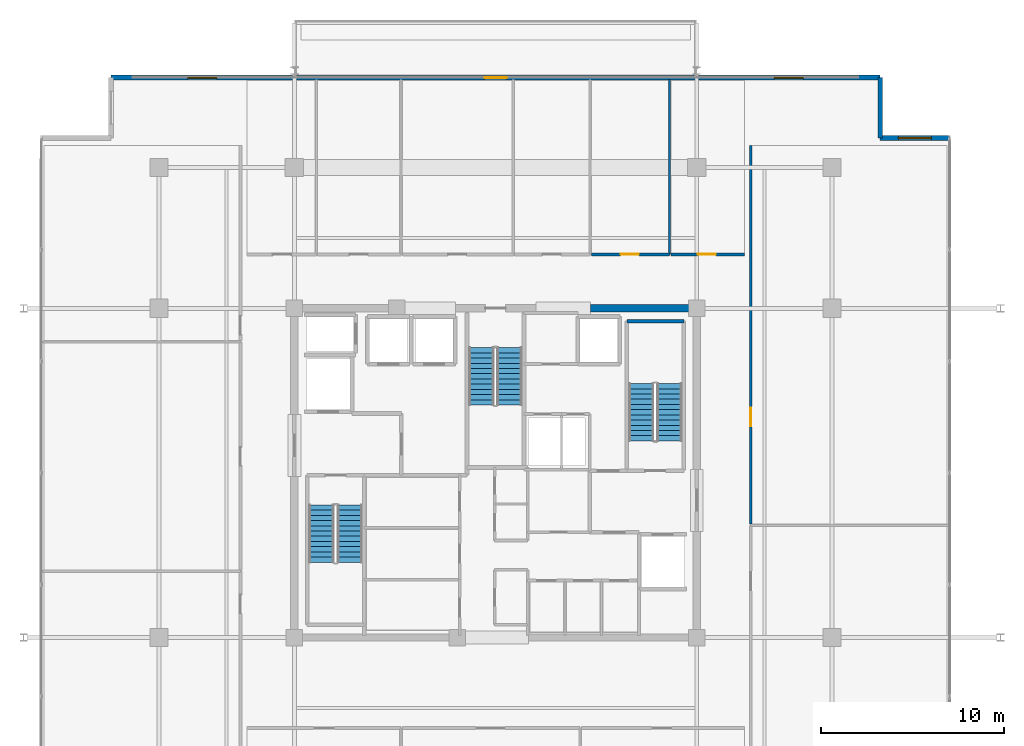
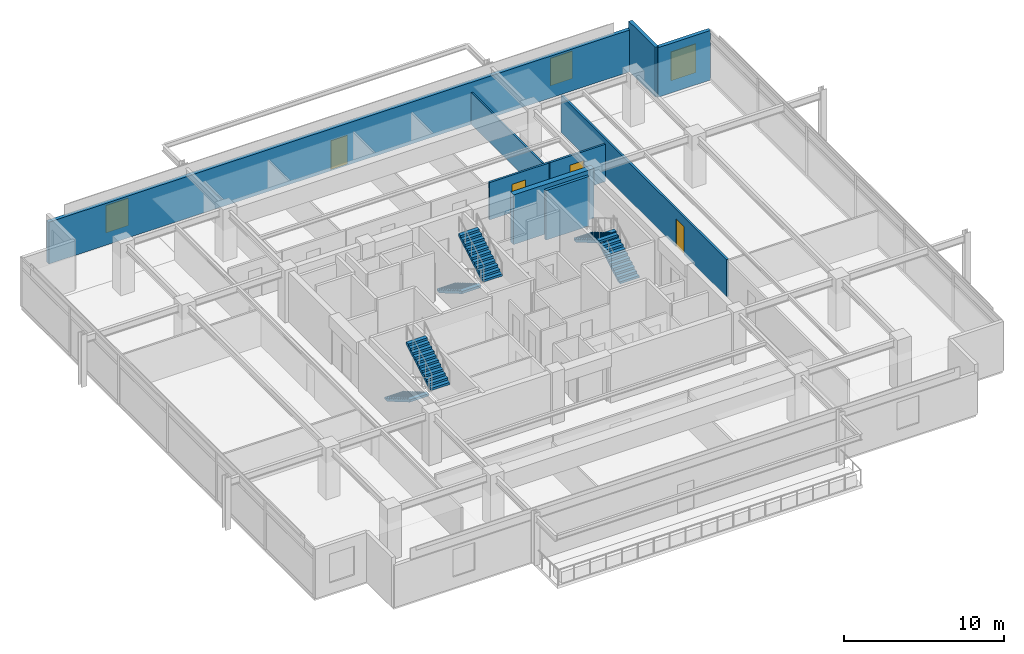
# One storey, part 16 of 20: 9 walls, 6 stair flights, 4 doors, 3 windows, 7 openings, 3 elements without a shape of their own.
"""IFC4 building model written with IfcOpenShell, lengths in metres."""

from ifc_helpers import new_model, si_unit, direction, frame, frame_2d, origin, place, context, subcontext, project, spatial, polyline, rectangle, outline, extrude, material, layer, layer_set, type_object, element, fill, aggregate, save


model = new_model("IFC4")

# Units and contexts
model_context = context("Model", 3, precision=1e-05, world=origin(), true_north=direction((0.0, 1.0)))
body_context = subcontext(model_context, "Body", "Model", "MODEL_VIEW")
ifc_project = project(units=[si_unit("LENGTHUNIT", "METRE"), si_unit("AREAUNIT", "SQUARE_METRE"), si_unit("VOLUMEUNIT", "CUBIC_METRE"), si_unit("PLANEANGLEUNIT", "RADIAN"), si_unit("MASSUNIT", "GRAM", prefix="KILO")], contexts=[model_context])

# Site, building, storey
site_placement = place(None, origin())
site = spatial("IfcSite", under=ifc_project, at=site_placement, CompositionType="ELEMENT")
building_placement = place(site_placement, origin())
building = spatial("IfcBuilding", under=site, at=building_placement, Name="Kovane Verandah Tower", CompositionType="ELEMENT")
storey_placement = place(building_placement, frame((0.0, 0.0, 318.800048828125)))
storey = spatial("IfcBuildingStorey", under=building, at=storey_placement, Name="L74", CompositionType="ELEMENT", Elevation=318.800048828125)

# Wall, opening, door
ifc_material_1 = material(Name="Fire-Rated Gypsum Stud Partition", Category="gypsum")
ifc_layer_1 = layer(ifc_material_1, 0.14990234375)
ifc_layer_set_1 = layer_set([ifc_layer_1], Name="Fire-Rated Gypsum Stud Partition")
wall_type_1 = type_object("IfcWallType", Name="WL-COR-150", PredefinedType="PARTITIONING", material=ifc_layer_set_1)
wall_1_placement = place(storey_placement, frame((45.238037109375, 39.449951171875, 0.0), z_axis=(0.0, 0.0, 1.0), x_axis=(1.0, 0.0, 0.0)))
wall_1 = element("IfcWall", 1, at=wall_1_placement, inside=storey, type_object=wall_type_1, Name="L74 Document and Print Room N5 Corridor Partition", PredefinedType="PARTITIONING", context=body_context, shape_type="SweptSolid", body=[
    extrude(rectangle(XDim=4.281982421875, YDim=0.14990234375, at=frame_2d((2.14111328125, 0.0))), origin(), (0.0, 0.0, 1.0), 2.849853515625),
])
opening_1_placement = place(wall_1_placement, frame((1.60595703125, 0.0, 0.0)))
opening_1 = element("IfcOpeningElement", 2, at=opening_1_placement, cuts=wall_1, Name="Opening DR-L74-027", PredefinedType="OPENING", context=body_context, shape_type="SweptSolid", body=[
    extrude(rectangle(XDim=1.0, YDim=2.14990234375, at=frame_2d((0.5, 1.074951171875))), frame((0.0, 0.074951171875, 0.0), z_axis=(0.0, -1.0, 0.0), x_axis=(1.0, 0.0, 0.0)), (0.0, 0.0, 1.0), 0.14990234375),
])
ifc_material_2 = material(Name="FSC Spotted-Gum Timber Fire-Rated Office Door", Category="wood")
door_type_1 = type_object("IfcDoorType", Name="DR-OFF-1000", OperationType="SINGLE_SWING_LEFT", PredefinedType="DOOR", material=ifc_material_2)
door_1_placement = place(opening_1_placement, origin())
door_1 = element("IfcDoor", 3, at=door_1_placement, inside=storey, type_object=door_type_1, Name="L74 Document and Print Room N5 Entrance Door", OperationType="SINGLE_SWING_RIGHT", OverallHeight=2.14990234375, OverallWidth=1.0, PredefinedType="DOOR", context=body_context, shape_type="SweptSolid", body=[
    extrude(rectangle(XDim=1.0, YDim=2.14990234375, at=frame_2d((0.5, 1.074951171875))), frame((0.0, 0.02490234375, 0.0), z_axis=(0.0, -1.0, 0.0), x_axis=(1.0, 0.0, 0.0)), (0.0, 0.0, 1.0), 0.050048828125),
])
fill(opening_1, door_1)

wall_2_placement = place(storey_placement, frame((49.590087890625, 39.449951171875, 0.0), z_axis=(0.0, 0.0, 1.0), x_axis=(1.0, 0.0, 0.0)))
wall_2 = element("IfcWall", 4, at=wall_2_placement, inside=storey, type_object=wall_type_1, Name="L74 Open Plan Office N6 Corridor Partition", PredefinedType="PARTITIONING", context=body_context, shape_type="SweptSolid", body=[
    extrude(rectangle(XDim=4.010009765625, YDim=0.14990234375, at=frame_2d((2.0048828125, 0.0))), origin(), (0.0, 0.0, 1.0), 2.849853515625),
])
opening_2_placement = place(wall_2_placement, frame((1.455078125, 0.0, 0.0)))
opening_2 = element("IfcOpeningElement", 5, at=opening_2_placement, cuts=wall_2, Name="Opening DR-L74-028", PredefinedType="OPENING", context=body_context, shape_type="SweptSolid", body=[
    extrude(rectangle(XDim=1.0, YDim=2.14990234375, at=frame_2d((0.5, 1.074951171875))), frame((0.0, 0.074951171875, 0.0), z_axis=(0.0, -1.0, 0.0), x_axis=(1.0, 0.0, 0.0)), (0.0, 0.0, 1.0), 0.14990234375),
])
door_2_placement = place(opening_2_placement, origin())
door_2 = element("IfcDoor", 6, at=door_2_placement, inside=storey, type_object=door_type_1, Name="L74 Open Plan Office N6 Entrance Door", OperationType="SINGLE_SWING_LEFT", OverallHeight=2.14990234375, OverallWidth=1.0, PredefinedType="DOOR", context=body_context, shape_type="SweptSolid", body=[
    extrude(rectangle(XDim=1.0, YDim=2.14990234375, at=frame_2d((0.5, 1.074951171875))), frame((0.0, 0.02490234375, 0.0), z_axis=(0.0, -1.0, 0.0), x_axis=(1.0, 0.0, 0.0)), (0.0, 0.0, 1.0), 0.050048828125),
])
fill(opening_2, door_2)

wall_3_placement = place(storey_placement, frame((53.949951171875, 24.70361328125, 0.0), z_axis=(0.0, 0.0, 1.0), x_axis=(0.0, 1.0, 0.0)))
wall_3 = element("IfcWall", 7, at=wall_3_placement, inside=storey, type_object=wall_type_1, Name="L74 Open Plan Office E2 Corridor Partition", PredefinedType="PARTITIONING", context=body_context, shape_type="SweptSolid", body=[
    extrude(rectangle(XDim=20.712158203125, YDim=0.14990234375, at=frame_2d((10.35595703125, 0.0))), origin(), (0.0, 0.0, 1.0), 2.849853515625),
])
opening_3_placement = place(wall_3_placement, frame((5.348388671875, 0.0, 0.0)))
opening_3 = element("IfcOpeningElement", 8, at=opening_3_placement, cuts=wall_3, Name="Opening DR-L74-012", PredefinedType="OPENING", context=body_context, shape_type="SweptSolid", body=[
    extrude(rectangle(XDim=1.0, YDim=2.14990234375, at=frame_2d((0.5, 1.074951171875))), frame((0.0, 0.074951171875, 0.0), z_axis=(0.0, -1.0, 0.0), x_axis=(1.0, 0.0, 0.0)), (0.0, 0.0, 1.0), 0.14990234375),
])
door_3_placement = place(opening_3_placement, origin())
door_3 = element("IfcDoor", 9, at=door_3_placement, inside=storey, type_object=door_type_1, Name="L74 Open Plan Office E2 Entrance Door", OperationType="SINGLE_SWING_LEFT", OverallHeight=2.14990234375, OverallWidth=1.0, PredefinedType="DOOR", context=body_context, shape_type="SweptSolid", body=[
    extrude(rectangle(XDim=1.0, YDim=2.14990234375, at=frame_2d((0.5, 1.074951171875))), frame((0.0, 0.02490234375, 0.0), z_axis=(0.0, -1.0, 0.0), x_axis=(1.0, 0.0, 0.0)), (0.0, 0.0, 1.0), 0.050048828125),
])
fill(opening_3, door_3)

# Walls
ifc_material_3 = material(Name="Concrete C60/75", Category="concrete")
ifc_layer_2 = layer(ifc_material_3, 0.39990234375)
ifc_layer_set_2 = layer_set([ifc_layer_2], Name="Concrete C60/75")
wall_type_2 = type_object("IfcWallType", Name="WL-CORE-400", PredefinedType="SHEAR", material=ifc_layer_set_2)
wall_4_placement = place(storey_placement, frame((45.199951171875, 36.5, 0.0), z_axis=(0.0, 0.0, 1.0), x_axis=(1.0, 0.0, 0.0)))
element("IfcWall", 10, at=wall_4_placement, inside=storey, type_object=wall_type_2, Name="L74 Core Shear Wall CN-3", PredefinedType="SHEAR", context=body_context, shape_type="SweptSolid", body=[
    extrude(rectangle(XDim=5.800048828125, YDim=0.39990234375, at=frame_2d((2.89990234375, 0.0))), origin(), (0.0, 0.0, 1.0), 3.784912109375),
])
ifc_material_4 = material(Name="Acoustic Fire-Rated Gypsum Partition", Category="gypsum")
ifc_layer_3 = layer(ifc_material_4, 0.1201171875)
ifc_layer_set_3 = layer_set([ifc_layer_3], Name="Acoustic Fire-Rated Gypsum Partition")
wall_type_3 = type_object("IfcWallType", Name="WL-PART-120", PredefinedType="PARTITIONING", material=ifc_layer_set_3)
wall_5_placement = place(storey_placement, frame((49.52001953125, 39.449951171875, 0.0), z_axis=(0.0, 0.0, 1.0), x_axis=(0.0, 1.0, 0.0)))
element("IfcWall", 11, at=wall_5_placement, inside=storey, type_object=wall_type_3, Name="L74 Document and Print Room N5 Dividing Partition", PredefinedType="PARTITIONING", context=body_context, shape_type="SweptSolid", body=[
    extrude(rectangle(XDim=9.565673828125, YDim=0.1201171875, at=frame_2d((4.78271484375, 0.0))), origin(), (0.0, 0.0, 1.0), 2.4150390625),
])
ifc_material_5 = material(Name="Concrete C45/55", Category="concrete")
ifc_layer_4 = layer(ifc_material_5, 0.199951171875)
ifc_layer_set_4 = layer_set([ifc_layer_4], Name="Concrete C45/55")
wall_type_4 = type_object("IfcWallType", Name="WL-SHAFT-200", PredefinedType="SOLIDWALL", material=ifc_layer_set_4)
wall_6_placement = place(storey_placement, frame((47.179931640625, 35.800048828125, 0.0), z_axis=(0.0, 0.0, 1.0), x_axis=(1.0, 0.0, 0.0)))
element("IfcWall", 12, at=wall_6_placement, inside=storey, type_object=wall_type_4, Name="W-L74-ST02-N", PredefinedType="SOLIDWALL", context=body_context, shape_type="SweptSolid", body=[
    extrude(rectangle(XDim=3.1201171875, YDim=0.199951171875, at=frame_2d((1.56005859375, 0.0))), origin(), (0.0, 0.0, 1.0), 3.784912109375),
])

# Wall, openings, door, windows
ifc_material_6 = material(Name="Concrete C45/55 Insulated Spandrel Wall", Category="concrete")
ifc_layer_5 = layer(ifc_material_6, 0.260009765625)
ifc_layer_set_5 = layer_set([ifc_layer_5], Name="Concrete C45/55 Insulated Spandrel Wall")
wall_type_5 = type_object("IfcWallType", Name="WL-SPANDREL-260", PredefinedType="PARAPET", material=ifc_layer_set_5)
wall_7_placement = place(storey_placement, frame((61.031494140625, 49.11572265625, 0.0), z_axis=(0.0, 0.0, 1.0), x_axis=(-1.0, 0.0, 0.0)))
wall_7 = element("IfcWall", 13, at=wall_7_placement, inside=storey, type_object=wall_type_5, Name="L74 N Verandah Access Facade Wall", PredefinedType="PARAPET", context=body_context, shape_type="SweptSolid", body=[
    extrude(rectangle(XDim=42.06298828125, YDim=0.260009765625, at=frame_2d((21.031494140625, 0.0))), origin(), (0.0, 0.0, 1.0), 3.195556640625),
])
opening_4_placement = place(wall_7_placement, frame((4.199951171875, 0.0, 0.85009765625)))
opening_4 = element("IfcOpeningElement", 14, at=opening_4_placement, cuts=wall_7, Name="Opening W-02", PredefinedType="OPENING", context=body_context, shape_type="SweptSolid", body=[
    extrude(rectangle(XDim=1.60009765625, YDim=2.10009765625, at=frame_2d((0.800048828125, 1.050048828125))), frame((0.0, 0.1298828125, 0.0), z_axis=(0.0, -1.0, 0.0), x_axis=(1.0, 0.0, 0.0)), (0.0, 0.0, 1.0), 0.260009765625),
])
opening_5_placement = place(wall_7_placement, frame((20.431396484375, 0.0, 0.0)))
opening_5 = element("IfcOpeningElement", 15, at=opening_5_placement, cuts=wall_7, Name="Opening DR-L74-001", PredefinedType="OPENING", context=body_context, shape_type="SweptSolid", body=[
    extrude(rectangle(XDim=1.199951171875, YDim=2.199951171875, at=frame_2d((0.60009765625, 1.10009765625))), frame((0.0, 0.1298828125, 0.0), z_axis=(0.0, -1.0, 0.0), x_axis=(1.0, 0.0, 0.0)), (0.0, 0.0, 1.0), 0.260009765625),
])
opening_6_placement = place(wall_7_placement, frame((36.262939453125, 0.0, 0.85009765625)))
opening_6 = element("IfcOpeningElement", 16, at=opening_6_placement, cuts=wall_7, Name="Opening W-02", PredefinedType="OPENING", context=body_context, shape_type="SweptSolid", body=[
    extrude(rectangle(XDim=1.60009765625, YDim=2.10009765625, at=frame_2d((0.800048828125, 1.050048828125))), frame((0.0, 0.1298828125, 0.0), z_axis=(0.0, -1.0, 0.0), x_axis=(1.0, 0.0, 0.0)), (0.0, 0.0, 1.0), 0.260009765625),
])
ifc_material_7 = material(Name="Cyclone-Rated Glazed Balcony Leaf Door", Category="aluminium")
door_type_2 = type_object("IfcDoorType", Name="DR-BAL-1200x2200", OperationType="SINGLE_SWING_LEFT", PredefinedType="DOOR", material=ifc_material_7)
door_4_placement = place(opening_5_placement, origin())
door_4 = element("IfcDoor", 17, at=door_4_placement, inside=storey, type_object=door_type_2, Name="L74 N Planted Balcony Access Door", OperationType="SINGLE_SWING_LEFT", OverallHeight=2.199951171875, OverallWidth=1.199951171875, PredefinedType="DOOR", context=body_context, shape_type="SweptSolid", body=[
    extrude(rectangle(XDim=1.199951171875, YDim=2.199951171875, at=frame_2d((0.60009765625, 1.10009765625))), frame((0.0, 0.02490234375, 0.0), z_axis=(0.0, -1.0, 0.0), x_axis=(1.0, 0.0, 0.0)), (0.0, 0.0, 1.0), 0.050048828125),
])
fill(opening_5, door_4)
ifc_material_8 = material(Name="Clear Low-E Laminated Double Glazing in Anodised Frame", Category="glass")
window_type_1 = type_object("IfcWindowType", Name="WN-OPER-1600x2100", PartitioningType="SINGLE_PANEL", PredefinedType="WINDOW", material=ifc_material_8)
window_1_placement = place(opening_4_placement, origin())
window_1 = element("IfcWindow", 18, at=window_1_placement, inside=storey, type_object=window_type_1, Name="L74 N Verandah View Window 1", OverallHeight=2.10009765625, OverallWidth=1.60009765625, PartitioningType="SINGLE_PANEL", PredefinedType="WINDOW", context=body_context, shape_type="SweptSolid", body=[
    extrude(rectangle(XDim=1.60009765625, YDim=2.10009765625, at=frame_2d((0.800048828125, 1.050048828125))), frame((0.0, 0.030029296875, 0.0), z_axis=(0.0, -1.0, 0.0), x_axis=(1.0, 0.0, 0.0)), (0.0, 0.0, 1.0), 0.06005859375),
])
fill(opening_4, window_1)
window_2_placement = place(opening_6_placement, origin())
window_2 = element("IfcWindow", 19, at=window_2_placement, inside=storey, type_object=window_type_1, Name="L74 N Verandah View Window 2", OverallHeight=2.10009765625, OverallWidth=1.60009765625, PartitioningType="SINGLE_PANEL", PredefinedType="WINDOW", context=body_context, shape_type="SweptSolid", body=[
    extrude(rectangle(XDim=1.60009765625, YDim=2.10009765625, at=frame_2d((0.800048828125, 1.050048828125))), frame((0.0, 0.030029296875, 0.0), z_axis=(0.0, -1.0, 0.0), x_axis=(1.0, 0.0, 0.0)), (0.0, 0.0, 1.0), 0.06005859375),
])
fill(opening_6, window_2)

# Wall, opening, window
wall_8_placement = place(storey_placement, frame((64.83154296875, 45.815673828125, 0.0), z_axis=(0.0, 0.0, 1.0), x_axis=(-1.0, 0.0, 0.0)))
wall_8 = element("IfcWall", 20, at=wall_8_placement, inside=storey, type_object=wall_type_5, Name="L74 NE Notch Cheek Wall 1", PredefinedType="PARAPET", context=body_context, shape_type="SweptSolid", body=[
    extrude(rectangle(XDim=3.800048828125, YDim=0.260009765625, at=frame_2d((1.89990234375, 0.0))), origin(), (0.0, 0.0, 1.0), 3.784912109375),
])
opening_7_placement = place(wall_8_placement, frame((1.0, 0.0, 0.85009765625)))
opening_7 = element("IfcOpeningElement", 21, at=opening_7_placement, cuts=wall_8, Name="Opening W-03", PredefinedType="OPENING", context=body_context, shape_type="SweptSolid", body=[
    extrude(rectangle(XDim=1.800048828125, YDim=2.199951171875, at=frame_2d((0.89990234375, 1.10009765625))), frame((0.0, 0.1298828125, 0.0), z_axis=(0.0, -1.0, 0.0), x_axis=(1.0, 0.0, 0.0)), (0.0, 0.0, 1.0), 0.260009765625),
])
window_type_2 = type_object("IfcWindowType", Name="WN-NOTCH-1800x2200", PartitioningType="SINGLE_PANEL", PredefinedType="WINDOW", material=ifc_material_8)
window_3_placement = place(opening_7_placement, origin())
window_3 = element("IfcWindow", 22, at=window_3_placement, inside=storey, type_object=window_type_2, Name="L74 NE Re-Entrant Corner Operable Window", OverallHeight=2.199951171875, OverallWidth=1.800048828125, PartitioningType="SINGLE_PANEL", PredefinedType="WINDOW", context=body_context, shape_type="SweptSolid", body=[
    extrude(rectangle(XDim=1.800048828125, YDim=2.199951171875, at=frame_2d((0.89990234375, 1.10009765625))), frame((0.0, 0.030029296875, 0.0), z_axis=(0.0, -1.0, 0.0), x_axis=(1.0, 0.0, 0.0)), (0.0, 0.0, 1.0), 0.06005859375),
])
fill(opening_7, window_3)

# Wall
wall_9_placement = place(storey_placement, frame((61.031494140625, 45.815673828125, 0.0), z_axis=(0.0, 0.0, 1.0), x_axis=(0.0, 1.0, 0.0)))
element("IfcWall", 23, at=wall_9_placement, inside=storey, type_object=wall_type_5, Name="L74 NE Notch Cheek Wall 2", PredefinedType="PARAPET", context=body_context, shape_type="SweptSolid", body=[
    extrude(rectangle(XDim=3.300048828125, YDim=0.260009765625, at=frame_2d((1.64990234375, 0.0))), origin(), (0.0, 0.0, 1.0), 3.784912109375),
])

# Stair, stair flights
stair_type = type_object("IfcStairType", Name="ST-CORE-1380", PredefinedType="HALF_TURN_STAIR", material=ifc_material_5)
stair_1_placement = place(storey_placement, origin())
stair_1 = element("IfcStair", 24, at=stair_1_placement, inside=storey, type_object=stair_type, Name="L74 Exit Stair ST-01", PredefinedType="HALF_TURN_STAIR")
stair_flight_type = type_object("IfcStairFlightType", Name="STF-CORE-1380", PredefinedType="STRAIGHT", material=ifc_material_5)
stair_flight_1_placement = place(storey_placement, frame((30.489990234375, 25.75, 0.0), z_axis=(0.0, 0.0, 1.0), x_axis=(0.0, -1.0, 0.0)))
stair_flight_1 = element("IfcStairFlight", 25, at=stair_flight_1_placement, type_object=stair_flight_type, Name="ST-01 flight 1", NumberOfRisers=12, NumberOfTreads=11, PredefinedType="STRAIGHT", RiserHeight=0.166666667, TreadLength=0.285, context=body_context, shape_type="SweptSolid", body=[
    extrude(outline(polyline([(0.0, 0.0), (0.0, 0.166748046875), (0.284912109375, 0.166748046875), (0.284912109375, 0.333251953125), (0.570068359375, 0.333251953125), (0.570068359375, 0.5), (0.85498046875, 0.5), (0.85498046875, 0.666748046875), (1.139892578125, 0.666748046875), (1.139892578125, 0.833251953125), (1.425048828125, 0.833251953125), (1.425048828125, 1.0), (1.7099609375, 1.0), (1.7099609375, 1.166748046875), (1.9951171875, 1.166748046875), (1.9951171875, 1.333251953125), (2.280029296875, 1.333251953125), (2.280029296875, 1.5), (2.56494140625, 1.5), (2.56494140625, 1.666748046875), (2.85009765625, 1.666748046875), (2.85009765625, 1.833251953125), (3.135009765625, 1.833251953125), (3.135009765625, 2.0), (3.135009765625, 1.65966796875), (0.296875, 0.0), (0.0, 0.0)])), frame((0.0, 0.68994140625, 0.0), z_axis=(0.0, -1.0, 0.0), x_axis=(1.0, 0.0, 0.0)), (0.0, 0.0, 1.0), 1.3798828125),
])
stair_flight_2_placement = place(storey_placement, frame((32.030029296875, 22.614990234375, 2.0), z_axis=(0.0, 0.0, 1.0), x_axis=(0.0, 1.0, 0.0)))
stair_flight_2 = element("IfcStairFlight", 26, at=stair_flight_2_placement, type_object=stair_flight_type, Name="ST-01 flight 2", NumberOfRisers=12, NumberOfTreads=11, PredefinedType="STRAIGHT", RiserHeight=0.166666667, TreadLength=0.285, context=body_context, shape_type="SweptSolid", body=[
    extrude(outline(polyline([(0.0, 0.0), (0.0, 0.166748046875), (0.284912109375, 0.166748046875), (0.284912109375, 0.333251953125), (0.570068359375, 0.333251953125), (0.570068359375, 0.5), (0.85498046875, 0.5), (0.85498046875, 0.666748046875), (1.139892578125, 0.666748046875), (1.139892578125, 0.833251953125), (1.425048828125, 0.833251953125), (1.425048828125, 1.0), (1.7099609375, 1.0), (1.7099609375, 1.166748046875), (1.9951171875, 1.166748046875), (1.9951171875, 1.333251953125), (2.280029296875, 1.333251953125), (2.280029296875, 1.5), (2.56494140625, 1.5), (2.56494140625, 1.666748046875), (2.85009765625, 1.666748046875), (2.85009765625, 1.833251953125), (3.135009765625, 1.833251953125), (3.135009765625, 2.0), (3.135009765625, 1.65966796875), (0.296875, 0.0), (0.0, 0.0)])), frame((0.0, 0.68994140625, 0.0), z_axis=(0.0, -1.0, 0.0), x_axis=(1.0, 0.0, 0.0)), (0.0, 0.0, 1.0), 1.3798828125),
])
aggregate(stair_1, [stair_flight_1, stair_flight_2])

stair_2_placement = place(storey_placement, origin())
stair_2 = element("IfcStair", 27, at=stair_2_placement, inside=storey, type_object=stair_type, Name="L74 Exit Stair ST-02", PredefinedType="HALF_TURN_STAIR")
stair_flight_3_placement = place(storey_placement, frame((49.510009765625, 29.25, 0.0), z_axis=(0.0, 0.0, 1.0), x_axis=(0.0, 1.0, 0.0)))
stair_flight_3 = element("IfcStairFlight", 28, at=stair_flight_3_placement, type_object=stair_flight_type, Name="ST-02 flight 1", NumberOfRisers=12, NumberOfTreads=11, PredefinedType="STRAIGHT", RiserHeight=0.166666667, TreadLength=0.285, context=body_context, shape_type="SweptSolid", body=[
    extrude(outline(polyline([(0.0, 0.0), (0.0, 0.166748046875), (0.284912109375, 0.166748046875), (0.284912109375, 0.333251953125), (0.570068359375, 0.333251953125), (0.570068359375, 0.5), (0.85498046875, 0.5), (0.85498046875, 0.666748046875), (1.139892578125, 0.666748046875), (1.139892578125, 0.833251953125), (1.425048828125, 0.833251953125), (1.425048828125, 1.0), (1.7099609375, 1.0), (1.7099609375, 1.166748046875), (1.9951171875, 1.166748046875), (1.9951171875, 1.333251953125), (2.280029296875, 1.333251953125), (2.280029296875, 1.5), (2.56494140625, 1.5), (2.56494140625, 1.666748046875), (2.85009765625, 1.666748046875), (2.85009765625, 1.833251953125), (3.135009765625, 1.833251953125), (3.135009765625, 2.0), (3.135009765625, 1.65966796875), (0.296875, 0.0), (0.0, 0.0)])), frame((0.0, 0.68994140625, 0.0), z_axis=(0.0, -1.0, 0.0), x_axis=(1.0, 0.0, 0.0)), (0.0, 0.0, 1.0), 1.3798828125),
])
stair_flight_4_placement = place(storey_placement, frame((47.969970703125, 32.385009765625, 2.0), z_axis=(0.0, 0.0, 1.0), x_axis=(0.0, -1.0, 0.0)))
stair_flight_4 = element("IfcStairFlight", 29, at=stair_flight_4_placement, type_object=stair_flight_type, Name="ST-02 flight 2", NumberOfRisers=12, NumberOfTreads=11, PredefinedType="STRAIGHT", RiserHeight=0.166666667, TreadLength=0.285, context=body_context, shape_type="SweptSolid", body=[
    extrude(outline(polyline([(0.0, 0.0), (0.0, 0.166748046875), (0.284912109375, 0.166748046875), (0.284912109375, 0.333251953125), (0.570068359375, 0.333251953125), (0.570068359375, 0.5), (0.85498046875, 0.5), (0.85498046875, 0.666748046875), (1.139892578125, 0.666748046875), (1.139892578125, 0.833251953125), (1.425048828125, 0.833251953125), (1.425048828125, 1.0), (1.7099609375, 1.0), (1.7099609375, 1.166748046875), (1.9951171875, 1.166748046875), (1.9951171875, 1.333251953125), (2.280029296875, 1.333251953125), (2.280029296875, 1.5), (2.56494140625, 1.5), (2.56494140625, 1.666748046875), (2.85009765625, 1.666748046875), (2.85009765625, 1.833251953125), (3.135009765625, 1.833251953125), (3.135009765625, 2.0), (3.135009765625, 1.65966796875), (0.296875, 0.0), (0.0, 0.0)])), frame((0.0, 0.68994140625, 0.0), z_axis=(0.0, -1.0, 0.0), x_axis=(1.0, 0.0, 0.0)), (0.0, 0.0, 1.0), 1.3798828125),
])
aggregate(stair_2, [stair_flight_3, stair_flight_4])

stair_3_placement = place(storey_placement, origin())
stair_3 = element("IfcStair", 30, at=stair_3_placement, inside=storey, type_object=stair_type, Name="L74 Exit Stair ST-03", PredefinedType="HALF_TURN_STAIR")
stair_flight_5_placement = place(storey_placement, frame((39.22998046875, 34.35009765625, 0.0), z_axis=(0.0, 0.0, 1.0), x_axis=(0.0, -1.0, 0.0)))
stair_flight_5 = element("IfcStairFlight", 31, at=stair_flight_5_placement, type_object=stair_flight_type, Name="ST-03 flight 1", NumberOfRisers=12, NumberOfTreads=11, PredefinedType="STRAIGHT", RiserHeight=0.166666667, TreadLength=0.285, context=body_context, shape_type="SweptSolid", body=[
    extrude(outline(polyline([(0.0, 0.0), (0.0, 0.166748046875), (0.284912109375, 0.166748046875), (0.284912109375, 0.333251953125), (0.570068359375, 0.333251953125), (0.570068359375, 0.5), (0.85498046875, 0.5), (0.85498046875, 0.666748046875), (1.139892578125, 0.666748046875), (1.139892578125, 0.833251953125), (1.425048828125, 0.833251953125), (1.425048828125, 1.0), (1.7099609375, 1.0), (1.7099609375, 1.166748046875), (1.9951171875, 1.166748046875), (1.9951171875, 1.333251953125), (2.280029296875, 1.333251953125), (2.280029296875, 1.5), (2.56494140625, 1.5), (2.56494140625, 1.666748046875), (2.85009765625, 1.666748046875), (2.85009765625, 1.833251953125), (3.135009765625, 1.833251953125), (3.135009765625, 2.0), (3.135009765625, 1.65966796875), (0.296875, 0.0), (0.0, 0.0)])), frame((0.0, 0.68994140625, 0.0), z_axis=(0.0, -1.0, 0.0), x_axis=(1.0, 0.0, 0.0)), (0.0, 0.0, 1.0), 1.3798828125),
])
stair_flight_6_placement = place(storey_placement, frame((40.77001953125, 31.215087890625, 2.0), z_axis=(0.0, 0.0, 1.0), x_axis=(0.0, 1.0, 0.0)))
stair_flight_6 = element("IfcStairFlight", 32, at=stair_flight_6_placement, type_object=stair_flight_type, Name="ST-03 flight 2", NumberOfRisers=12, NumberOfTreads=11, PredefinedType="STRAIGHT", RiserHeight=0.166666667, TreadLength=0.285, context=body_context, shape_type="SweptSolid", body=[
    extrude(outline(polyline([(0.0, 0.0), (0.0, 0.166748046875), (0.284912109375, 0.166748046875), (0.284912109375, 0.333251953125), (0.570068359375, 0.333251953125), (0.570068359375, 0.5), (0.85498046875, 0.5), (0.85498046875, 0.666748046875), (1.139892578125, 0.666748046875), (1.139892578125, 0.833251953125), (1.425048828125, 0.833251953125), (1.425048828125, 1.0), (1.7099609375, 1.0), (1.7099609375, 1.166748046875), (1.9951171875, 1.166748046875), (1.9951171875, 1.333251953125), (2.280029296875, 1.333251953125), (2.280029296875, 1.5), (2.56494140625, 1.5), (2.56494140625, 1.666748046875), (2.85009765625, 1.666748046875), (2.85009765625, 1.833251953125), (3.135009765625, 1.833251953125), (3.135009765625, 2.0), (3.135009765625, 1.65966796875), (0.296875, 0.0), (0.0, 0.0)])), frame((0.0, 0.68994140625, 0.0), z_axis=(0.0, -1.0, 0.0), x_axis=(1.0, 0.0, 0.0)), (0.0, 0.0, 1.0), 1.3798828125),
])
aggregate(stair_3, [stair_flight_5, stair_flight_6])

save(model, "model.ifc")
